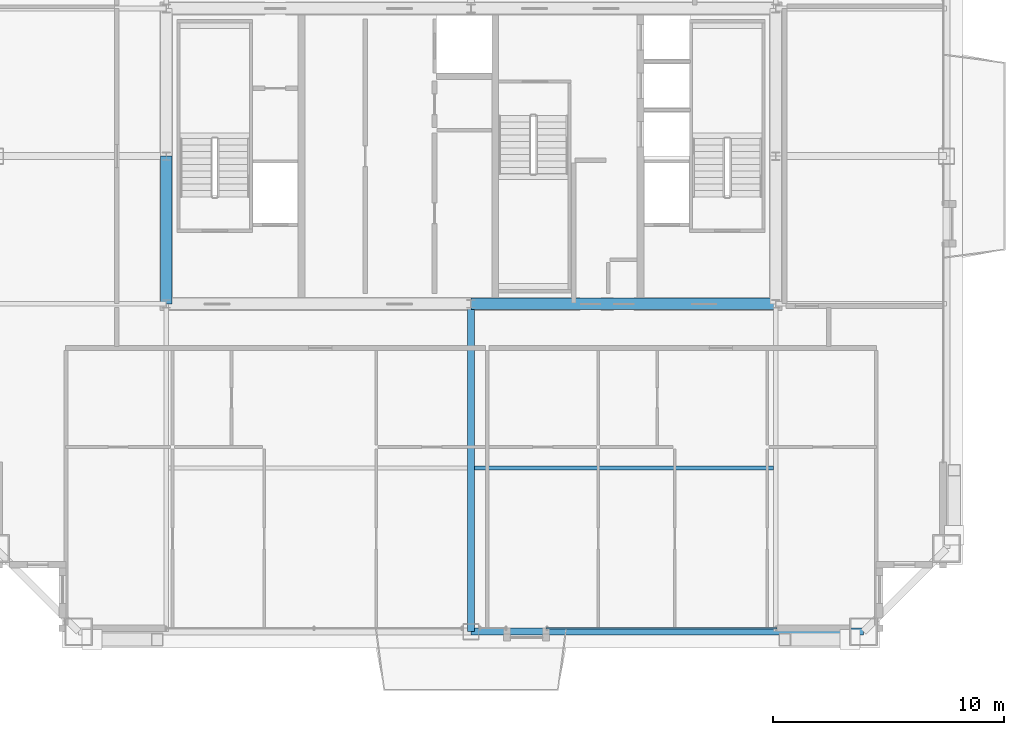
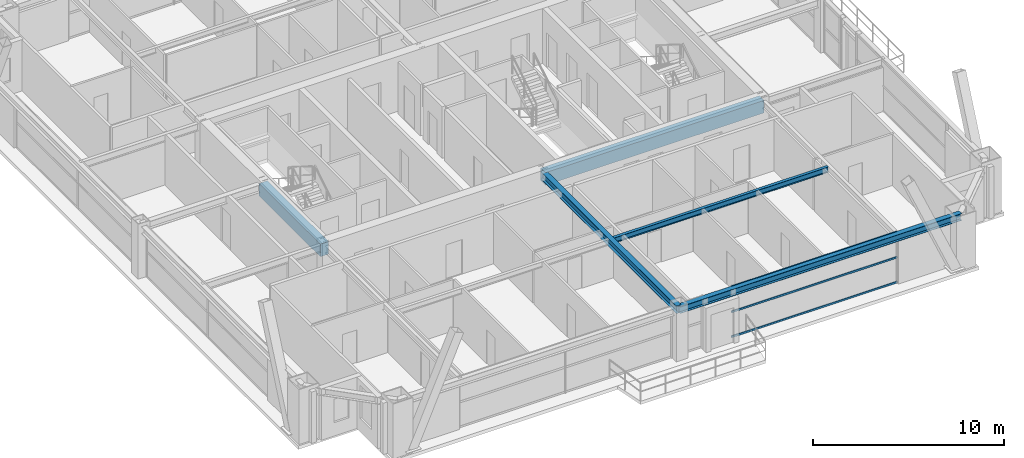
# One storey, part 12 of 37: 5 beams, 3 members, 1 element without a shape of its own.
"""IFC4 building model written with IfcOpenShell, lengths in metres."""

from ifc_helpers import new_model, si_unit, direction, frame, origin, origin_2d, place, context, subcontext, project, spatial, rectangle, hollow_rectangle, i_section, extrude, source, transform, mapped, material, layer, layer_set, material_profile, profile_set, type_object, element, aggregate, save


model = new_model("IFC4")

# Units and contexts
model_context = context("Model", 3, precision=1e-05, world=origin(), true_north=direction((0.0, 1.0)))
body_context = subcontext(model_context, "Body", "Model", "MODEL_VIEW")
ifc_project = project(units=[si_unit("LENGTHUNIT", "METRE"), si_unit("AREAUNIT", "SQUARE_METRE"), si_unit("VOLUMEUNIT", "CUBIC_METRE"), si_unit("PLANEANGLEUNIT", "RADIAN"), si_unit("MASSUNIT", "GRAM", prefix="KILO"), si_unit("THERMODYNAMICTEMPERATUREUNIT", "KELVIN"), si_unit("POWERUNIT", "WATT")], contexts=[model_context])

# Site, building, storey
site_placement = place(None, origin())
site = spatial("IfcSite", under=ifc_project, at=site_placement, CompositionType="ELEMENT")
building_placement = place(site_placement, origin())
building = spatial("IfcBuilding", under=site, at=building_placement, Name="Yuzanri Waterfront Tower", CompositionType="ELEMENT")
storey_placement = place(building_placement, frame((0.0, 0.0, 278.60009765625)))
storey = spatial("IfcBuildingStorey", under=building, at=storey_placement, Name="L74", CompositionType="ELEMENT", Elevation=278.60009765625)

# Beams
ifc_material_1 = material(Name="Concrete C50", Category="concrete")
ifc_material_profile_1 = material_profile(ifc_material_1, rectangle(XDim=0.5, YDim=0.800048828125, at=origin_2d()), Name="RC 500x800")
ifc_profile_set_1 = profile_set([ifc_material_profile_1], Name="Concrete C50")
beam_type_1 = type_object("IfcBeamType", Name="Core Coupling Lintel Concrete C50 500x800", PredefinedType="LINTEL", material=ifc_profile_set_1)
shared_shape_1 = source(origin(), body_context, "Body", "SweptSolid", [
    extrude(rectangle(XDim=0.5, YDim=0.800048828125, at=origin_2d()), origin(), (0.0, 0.0, 1.0), 13.199951171875),
])
beam_1_placement = place(storey_placement, frame((37.0, 19.39990234375, 2.8798828125), z_axis=(1.0, 0.0, 0.0), x_axis=(0.0, 1.0, 0.0)))
element("IfcBeam", 1, at=beam_1_placement, inside=storey, type_object=beam_type_1, Name="L74 Core Tie Beam CS2", PredefinedType="LINTEL", context=body_context, shape_type="MappedRepresentation", body=[
    mapped(shared_shape_1, transform((0.0, 0.0, 0.0), scale=1.0)),
])
shared_shape_2 = source(origin(), body_context, "Body", "SweptSolid", [
    extrude(rectangle(XDim=0.5, YDim=0.800048828125, at=origin_2d()), origin(), (0.0, 0.0, 1.0), 6.400146484375),
])
beam_2_placement = place(storey_placement, frame((23.800048828125, 19.39990234375, 2.8798828125), z_axis=(0.0, 1.0, 0.0), x_axis=(-1.0, 0.0, 0.0)))
element("IfcBeam", 2, at=beam_2_placement, inside=storey, type_object=beam_type_1, Name="L74 Core Tie Beam CW1", PredefinedType="LINTEL", context=body_context, shape_type="MappedRepresentation", body=[
    mapped(shared_shape_2, transform((0.0, 0.0, 0.0), scale=1.0)),
])
ifc_material_2 = material(Name="Steel Q355B", Category="steel")
ifc_material_profile_2 = material_profile(ifc_material_2, i_section(OverallWidth=0.300048828125, OverallDepth=0.43994140625, WebThickness=0.010986328125, FlangeThickness=0.01806640625, at=origin_2d()), Name="HM 440x300x11x18")
ifc_profile_set_2 = profile_set([ifc_material_profile_2], Name="Steel Q355B")
beam_type_2 = type_object("IfcBeamType", Name="Perimeter Spandrel Q355B HM 440x300", PredefinedType="SPANDREL", material=ifc_profile_set_2)
shared_shape_3 = source(origin(), body_context, "Body", "SweptSolid", [
    extrude(i_section(OverallWidth=0.300048828125, OverallDepth=0.43994140625, WebThickness=0.010986328125, FlangeThickness=0.01806640625, at=origin_2d()), origin(), (0.0, 0.0, 1.0), 17.0),
])
beam_3_placement = place(storey_placement, frame((37.0, 5.199951171875, 3.059814453125), z_axis=(1.0, 0.0, 0.0), x_axis=(0.0, 1.0, 0.0)))
element("IfcBeam", 3, at=beam_3_placement, inside=storey, type_object=beam_type_2, Name="L74 Perimeter Spandrel S2-S3", PredefinedType="SPANDREL", context=body_context, shape_type="MappedRepresentation", body=[
    mapped(shared_shape_3, transform((0.0, 0.0, 0.0), scale=1.0)),
])
ifc_material_3 = material(Name="Steel Q355B", Category="steel")
ifc_material_profile_3 = material_profile(ifc_material_3, i_section(OverallWidth=0.300048828125, OverallDepth=0.488037109375, WebThickness=0.010986328125, FlangeThickness=0.01806640625, at=origin_2d()), Name="HM 488x300x11x18")
ifc_profile_set_3 = profile_set([ifc_material_profile_3], Name="Steel Q355B")
beam_type_3 = type_object("IfcBeamType", Name="Primary Floor Girder Q355B HM 488x300", PredefinedType="BEAM", material=ifc_profile_set_3)
shared_shape_4 = source(origin(), body_context, "Body", "SweptSolid", [
    extrude(i_section(OverallWidth=0.300048828125, OverallDepth=0.488037109375, WebThickness=0.010986328125, FlangeThickness=0.01806640625, at=origin_2d()), origin(), (0.0, 0.0, 1.0), 14.199951171875),
])
beam_4_placement = place(storey_placement, frame((37.0, 19.39990234375, 3.035888671875), z_axis=(0.0, -1.0, 0.0), x_axis=(1.0, 0.0, 0.0)))
element("IfcBeam", 4, at=beam_4_placement, inside=storey, type_object=beam_type_3, Name="L74 South Grid Girder", PredefinedType="BEAM", context=body_context, shape_type="MappedRepresentation", body=[
    mapped(shared_shape_4, transform((0.0, 0.0, 0.0), scale=1.0)),
])
ifc_material_4 = material(Name="Steel Q355B", Category="steel")
ifc_material_profile_4 = material_profile(ifc_material_4, i_section(OverallWidth=0.175048828125, OverallDepth=0.35009765625, WebThickness=0.007080078125, FlangeThickness=0.010986328125, at=origin_2d()), Name="HN 350x175x7x11")
ifc_profile_set_4 = profile_set([ifc_material_profile_4], Name="Steel Q355B")
beam_type_4 = type_object("IfcBeamType", Name="Floor Joist Q355B HN 350x175", PredefinedType="JOIST", material=ifc_profile_set_4)
shared_shape_5 = source(origin(), body_context, "Body", "SweptSolid", [
    extrude(i_section(OverallWidth=0.175048828125, OverallDepth=0.35009765625, WebThickness=0.007080078125, FlangeThickness=0.010986328125, at=origin_2d()), origin(), (0.0, 0.0, 1.0), 12.9501953125),
])
beam_5_placement = place(storey_placement, frame((37.14990234375, 12.300048828125, 3.10498046875), z_axis=(1.0, 0.0, 0.0), x_axis=(0.0, 1.0, 0.0)))
element("IfcBeam", 5, at=beam_5_placement, inside=storey, type_object=beam_type_4, Name="L74 South Bay Joist E", PredefinedType="JOIST", context=body_context, shape_type="MappedRepresentation", body=[
    mapped(shared_shape_5, transform((0.0, 0.0, 0.0), scale=1.0)),
])

# Curtain wall, members
ifc_material_5 = material(Name="Anodized Architectural Bronze", Category="metal")
ifc_layer = layer(ifc_material_5, 0.159912109375)
ifc_layer_set = layer_set([ifc_layer], Name="Anodized Architectural Bronze")
curtain_wall_type = type_object("IfcCurtainWallType", Name="Anodized Bronze Mid-Rise Residential Acoustic Unitized Curtain Wall 7200", PredefinedType="NOTDEFINED", material=ifc_layer_set)
curtain_wall_placement = place(storey_placement, origin())
curtain_wall = element("IfcCurtainWall", 6, at=curtain_wall_placement, inside=storey, type_object=curtain_wall_type, Name="L74 Curtain Wall CW-L74-SR2", PredefinedType="NOTDEFINED")
ifc_material_6 = material(Name="Anodized Architectural Bronze", Category="metal")
ifc_material_profile_5 = material_profile(ifc_material_6, hollow_rectangle(XDim=0.06494140625, YDim=0.1201171875, WallThickness=0.00341796875, at=origin_2d()), Name="CWT 65x120")
ifc_profile_set_5 = profile_set([ifc_material_profile_5], Name="Anodized Architectural Bronze")
member_type = type_object("IfcMemberType", Name="Anodized Bronze Secondary Curtain-Wall Transom 65x120", PredefinedType="USERDEFINED", material=ifc_profile_set_5)
shared_shape_6 = source(origin(), body_context, "Body", "SweptSolid", [
    extrude(hollow_rectangle(XDim=0.06494140625, YDim=0.1201171875, WallThickness=0.00341796875, at=origin_2d()), origin(), (0.0, 0.0, 1.0), 10.0),
])
member_1_placement = place(storey_placement, frame((40.25, 5.35009765625, 0.0498046875), z_axis=(1.0, 0.0, 0.0), x_axis=(0.0, 1.0, 0.0)))
member_1 = element("IfcMember", 7, at=member_1_placement, type_object=member_type, Name="CW-L74-SR2 Transom 1", ObjectType="TRANSOM", PredefinedType="USERDEFINED", context=body_context, shape_type="MappedRepresentation", body=[
    mapped(shared_shape_6, transform((0.0, 0.0, 0.0), scale=1.0)),
])
member_2_placement = place(storey_placement, frame((40.25, 5.35009765625, 1.639892578125), z_axis=(1.0, 0.0, 0.0), x_axis=(0.0, 1.0, 0.0)))
member_2 = element("IfcMember", 8, at=member_2_placement, type_object=member_type, Name="CW-L74-SR2 Transom 2", ObjectType="TRANSOM", PredefinedType="USERDEFINED", context=body_context, shape_type="MappedRepresentation", body=[
    mapped(shared_shape_6, transform((0.0, 0.0, 0.0), scale=1.0)),
])
member_3_placement = place(storey_placement, frame((40.25, 5.35009765625, 3.22998046875), z_axis=(1.0, 0.0, 0.0), x_axis=(0.0, 1.0, 0.0)))
member_3 = element("IfcMember", 9, at=member_3_placement, type_object=member_type, Name="CW-L74-SR2 Transom 3", ObjectType="TRANSOM", PredefinedType="USERDEFINED", context=body_context, shape_type="MappedRepresentation", body=[
    mapped(shared_shape_6, transform((0.0, 0.0, 0.0), scale=1.0)),
])
aggregate(curtain_wall, [member_1, member_2, member_3])

save(model, "model.ifc")
